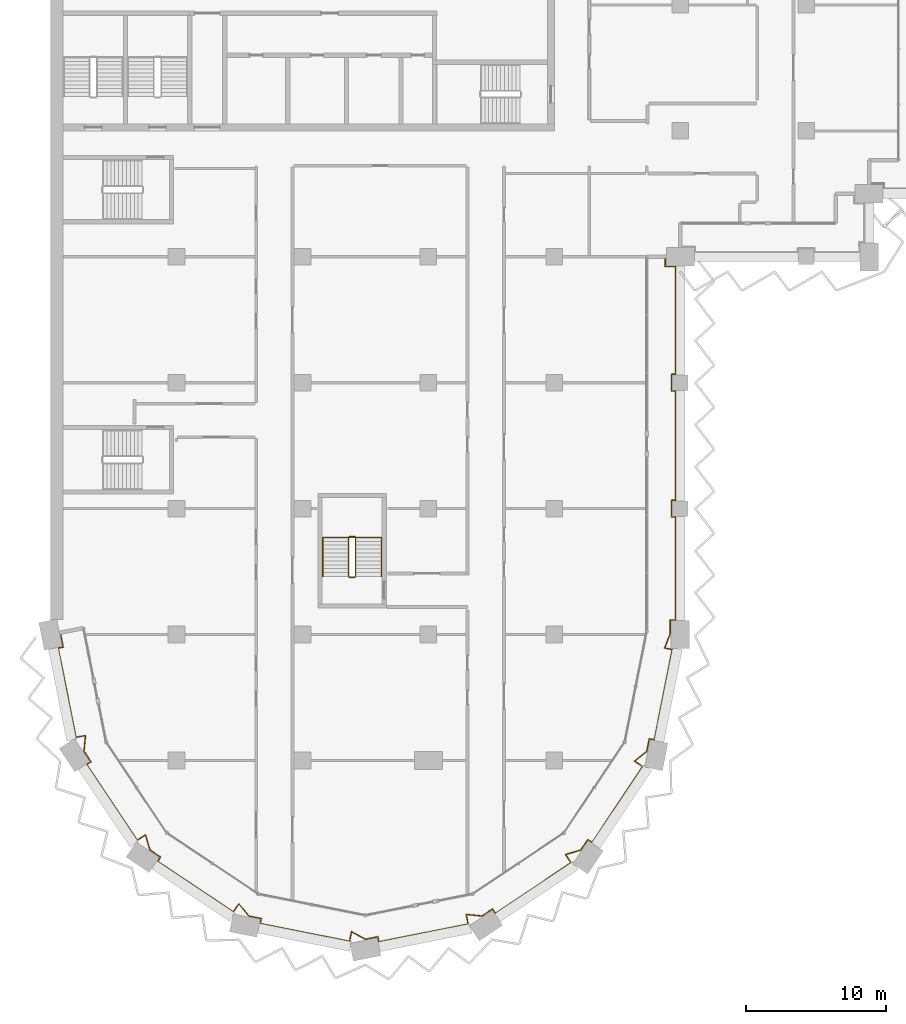
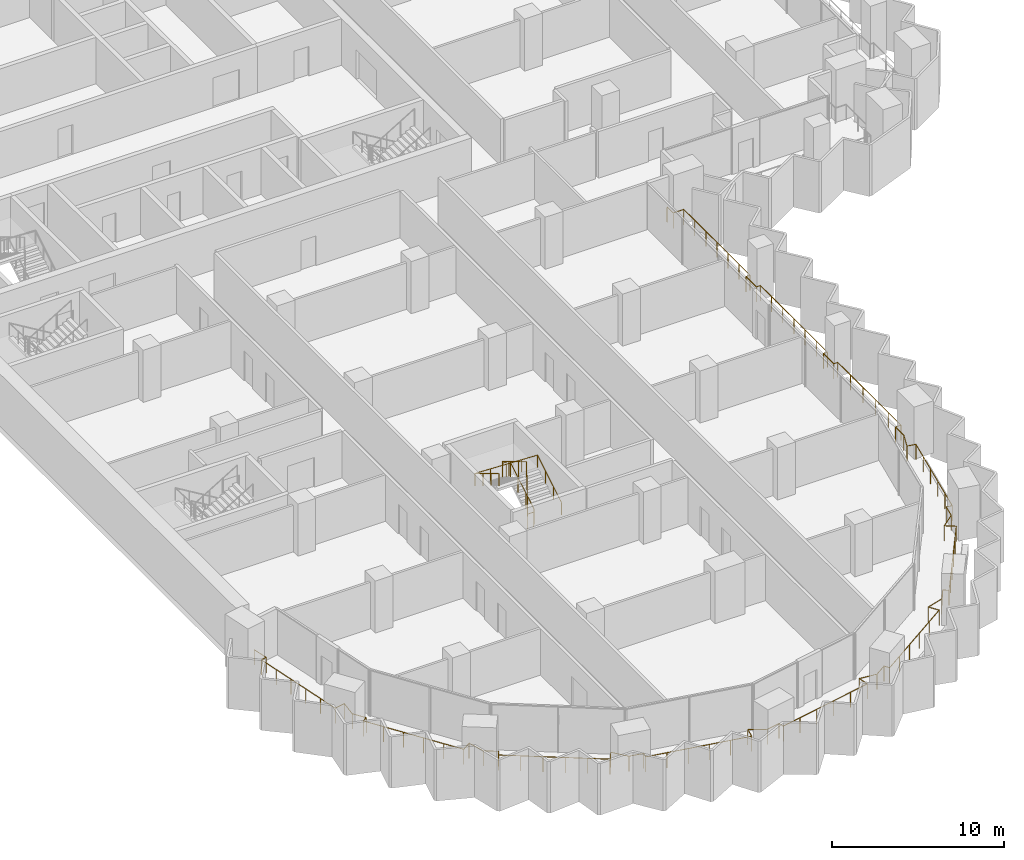
# One storey, part 19 of 22: 3 railings.
"""IFC4 building model written with IfcOpenShell, lengths in metres."""

from ifc_helpers import new_model, si_unit, direction, frame, origin, origin_2d, place, context, subcontext, project, spatial, circle, extrude, material, type_object, element, save


model = new_model("IFC4")

# Units and contexts
model_context = context("Model", 3, precision=1e-05, world=origin(), true_north=direction((0.0, 1.0)))
body_context = subcontext(model_context, "Body", "Model", "MODEL_VIEW")
ifc_project = project(units=[si_unit("LENGTHUNIT", "METRE"), si_unit("AREAUNIT", "SQUARE_METRE"), si_unit("VOLUMEUNIT", "CUBIC_METRE"), si_unit("PLANEANGLEUNIT", "RADIAN"), si_unit("MASSUNIT", "GRAM", prefix="KILO")], contexts=[model_context])

# Site, building, storey
site_placement = place(None, origin())
site = spatial("IfcSite", under=ifc_project, at=site_placement, CompositionType="ELEMENT")
building_placement = place(site_placement, origin())
building = spatial("IfcBuilding", under=site, at=building_placement, Name="Hunhe Ridgeline Campus", CompositionType="ELEMENT")
storey_placement = place(building_placement, frame((0.0, 0.0, 163.39990234375)))
storey = spatial("IfcBuildingStorey", under=building, at=storey_placement, Name="L41", CompositionType="ELEMENT", Elevation=163.39990234375)

# Railings
ifc_material_1 = material(Name="Steel Q355", Category="steel")
railing_type_1 = type_object("IfcRailingType", Name="Loggia guard 1100 Steel Q355", PredefinedType="GUARDRAIL", material=ifc_material_1)
railing_1_placement = place(storey_placement, frame((0.7060546875, 27.140380859375, 0.0)))
element("IfcRailing", 1, at=railing_1_placement, inside=storey, type_object=railing_type_1, Name="Loggia guard 1", PredefinedType="GUARDRAIL", context=body_context, shape_type="SweptSolid", body=[
    extrude(circle(Radius=0.02392578125, at=origin_2d()), frame((0.0, 0.0, 1.076171875), z_axis=(0.195087556151, -0.980785830564, 0.0), x_axis=(0.980785830564, 0.195087556151, 0.0)), (0.0, 0.0, 1.0), 1.050048828125),
    extrude(circle(Radius=0.02392578125, at=origin_2d()), frame((0.204833984375, -1.02978515625, 1.076171875), z_axis=(-0.980858940504, -0.194719641621, 0.0), x_axis=(0.194719641621, -0.980858940504, 0.0)), (0.0, 0.0, 1.0), 0.369873046875),
    extrude(circle(Radius=0.02392578125, at=origin_2d()), frame((-0.157958984375, -1.101806640625, 1.076171875), z_axis=(0.19507695386, -0.9807879394, 0.0), x_axis=(0.9807879394, 0.19507695386, 0.0)), (0.0, 0.0, 1.0), 6.506591796875),
    extrude(circle(Radius=0.02392578125, at=origin_2d()), frame((1.111328125, -7.4833984375, 1.076171875), z_axis=(0.980780459814, 0.195114555191, 0.0), x_axis=(-0.195114555191, 0.980780459814, 0.0)), (0.0, 0.0, 1.0), 0.703125),
    extrude(circle(Radius=0.02392578125, at=origin_2d()), frame((1.801025390625, -7.34619140625, 1.076171875), z_axis=(-0.102884402445, -0.994693319437, 0.0), x_axis=(0.994693319437, -0.102884402445, 0.0)), (0.0, 0.0, 1.0), 1.129638671875),
    extrude(circle(Radius=0.02392578125, at=origin_2d()), frame((1.684814453125, -8.4697265625, 1.076171875), z_axis=(0.555569523548, -0.831470086356, 0.0), x_axis=(0.831470086356, 0.555569523548, 0.0)), (0.0, 0.0, 1.0), 0.906982421875),
    extrude(circle(Radius=0.02392578125, at=origin_2d()), frame((2.188720703125, -9.223876953125, 1.076171875), z_axis=(-0.831440678638, -0.555613532868, 0.0), x_axis=(0.555613532868, -0.831440678638, 0.0)), (0.0, 0.0, 1.0), 0.369873046875),
    extrude(circle(Radius=0.02392578125, at=origin_2d()), frame((1.881103515625, -9.429443359375, 1.076171875), z_axis=(0.55556581165, -0.83147256655, 0.0), x_axis=(0.83147256655, 0.55556581165, 0.0)), (0.0, 0.0, 1.0), 6.50634765625),
    extrude(circle(Radius=0.02392578125, at=origin_2d()), frame((5.495849609375, -14.83935546875, 1.076171875), z_axis=(0.831355400166, 0.555741125539, 0.0), x_axis=(-0.555741125539, 0.831355400166, 0.0)), (0.0, 0.0, 1.0), 0.703369140625),
    extrude(circle(Radius=0.02392578125, at=origin_2d()), frame((6.08056640625, -14.448486328125, 1.076171875), z_axis=(0.285463917281, -0.958389457335, 0.0), x_axis=(0.958389457335, 0.285463917281, 0.0)), (0.0, 0.0, 1.0), 1.1298828125),
    extrude(circle(Radius=0.02392578125, at=origin_2d()), frame((6.403076171875, -15.53125, 1.076171875), z_axis=(0.831511358569, -0.555507750235, 0.0), x_axis=(0.555507750235, 0.831511358569, 0.0)), (0.0, 0.0, 1.0), 0.90673828125),
    extrude(circle(Radius=0.02392578125, at=origin_2d()), frame((7.156982421875, -16.034912109375, 1.076171875), z_axis=(-0.555613532868, -0.831440678638, 0.0), x_axis=(0.831440678638, -0.555613532868, 0.0)), (0.0, 0.0, 1.0), 0.369873046875),
    extrude(circle(Radius=0.02392578125, at=origin_2d()), frame((6.951416015625, -16.342529296875, 1.076171875), z_axis=(0.831455233209, -0.555591752251, 0.0), x_axis=(0.555591752251, 0.831455233209, 0.0)), (0.0, 0.0, 1.0), 6.506591796875),
    extrude(circle(Radius=0.02392578125, at=origin_2d()), frame((12.361328125, -19.95751953125, 1.076171875), z_axis=(0.555741125539, 0.831355400166, 0.0), x_axis=(-0.831355400166, 0.555741125539, 0.0)), (0.0, 0.0, 1.0), 0.703369140625),
    extrude(circle(Radius=0.02392578125, at=origin_2d()), frame((12.752197265625, -19.372802734375, 1.076171875), z_axis=(0.630633305327, -0.776080945657, 0.0), x_axis=(0.776080945657, 0.630633305327, 0.0)), (0.0, 0.0, 1.0), 1.129638671875),
    extrude(circle(Radius=0.02392578125, at=origin_2d()), frame((13.464599609375, -20.24951171875, 1.076171875), z_axis=(0.980807887006, -0.194976636516, 0.0), x_axis=(0.194976636516, 0.980807887006, 0.0)), (0.0, 0.0, 1.0), 0.906494140625),
    extrude(circle(Radius=0.02392578125, at=origin_2d()), frame((14.353759765625, -20.42626953125, 1.076171875), z_axis=(-0.194593653816, -0.980883943132, 0.0), x_axis=(0.980883943132, -0.194593653816, 0.0)), (0.0, 0.0, 1.0), 0.3701171875),
    extrude(circle(Radius=0.02392578125, at=origin_2d()), frame((14.28173828125, -20.789306640625, 1.076171875), z_axis=(0.98078651142, -0.195084133173, 0.0), x_axis=(0.195084133173, 0.98078651142, 0.0)), (0.0, 0.0, 1.0), 6.50634765625),
    extrude(circle(Radius=0.02392578125, at=origin_2d()), frame((20.6630859375, -22.05859375, 1.076171875), z_axis=(0.195114555191, 0.980780459814, 0.0), x_axis=(-0.980780459814, 0.195114555191, 0.0)), (0.0, 0.0, 1.0), 0.703125),
    extrude(circle(Radius=0.02392578125, at=origin_2d()), frame((20.80029296875, -21.368896484375, 1.076171875), z_axis=(0.879616090555, -0.475684278946, 0.0), x_axis=(0.475684278946, 0.879616090555, 0.0)), (0.0, 0.0, 1.0), 1.129638671875),
    extrude(circle(Radius=0.02392578125, at=origin_2d()), frame((21.7939453125, -21.90625, 1.076171875), z_axis=(0.98081812081, 0.194925149456, 0.0), x_axis=(-0.194925149456, 0.98081812081, 0.0)), (0.0, 0.0, 1.0), 0.90673828125),
    extrude(circle(Radius=0.02392578125, at=origin_2d()), frame((22.683349609375, -21.7294921875, 1.076171875), z_axis=(0.194719641621, -0.980858940504, 0.0), x_axis=(0.980858940504, 0.194719641621, 0.0)), (0.0, 0.0, 1.0), 0.369873046875),
    extrude(circle(Radius=0.02392578125, at=origin_2d()), frame((22.75537109375, -22.09228515625, 1.076171875), z_axis=(0.9807879394, 0.19507695386, 0.0), x_axis=(-0.19507695386, 0.9807879394, 0.0)), (0.0, 0.0, 1.0), 6.506591796875),
    extrude(circle(Radius=0.02392578125, at=origin_2d()), frame((29.136962890625, -20.822998046875, 1.076171875), z_axis=(-0.195114555191, 0.980780459814, 0.0), x_axis=(-0.980780459814, -0.195114555191, 0.0)), (0.0, 0.0, 1.0), 0.703125),
    extrude(circle(Radius=0.02392578125, at=origin_2d()), frame((28.999755859375, -20.13330078125, 1.076171875), z_axis=(0.994693319437, -0.102884402445, 0.0), x_axis=(0.102884402445, 0.994693319437, 0.0)), (0.0, 0.0, 1.0), 1.129638671875),
    extrude(circle(Radius=0.02392578125, at=origin_2d()), frame((30.123291015625, -20.24951171875, 1.076171875), z_axis=(0.831470086356, 0.555569523548, 0.0), x_axis=(-0.555569523548, 0.831470086356, 0.0)), (0.0, 0.0, 1.0), 0.906982421875),
    extrude(circle(Radius=0.02392578125, at=origin_2d()), frame((30.87744140625, -19.74560546875, 1.076171875), z_axis=(0.555613532868, -0.831440678638, 0.0), x_axis=(0.831440678638, 0.555613532868, 0.0)), (0.0, 0.0, 1.0), 0.369873046875),
    extrude(circle(Radius=0.02392578125, at=origin_2d()), frame((31.0830078125, -20.05322265625, 1.076171875), z_axis=(0.83147256655, 0.55556581165, 0.0), x_axis=(-0.55556581165, 0.83147256655, 0.0)), (0.0, 0.0, 1.0), 6.50634765625),
    extrude(circle(Radius=0.02392578125, at=origin_2d()), frame((36.492919921875, -16.4384765625, 1.076171875), z_axis=(-0.555741125539, 0.831355400166, 0.0), x_axis=(-0.831355400166, -0.555741125539, 0.0)), (0.0, 0.0, 1.0), 0.703369140625),
    extrude(circle(Radius=0.02392578125, at=origin_2d()), frame((36.10205078125, -15.853759765625, 1.076171875), z_axis=(0.958389457335, 0.285463917281, 0.0), x_axis=(-0.285463917281, 0.958389457335, 0.0)), (0.0, 0.0, 1.0), 1.1298828125),
    extrude(circle(Radius=0.02392578125, at=origin_2d()), frame((37.184814453125, -15.53125, 1.076171875), z_axis=(0.555507750235, 0.831511358569, 0.0), x_axis=(-0.831511358569, 0.555507750235, 0.0)), (0.0, 0.0, 1.0), 0.90673828125),
    extrude(circle(Radius=0.02392578125, at=origin_2d()), frame((37.6884765625, -14.77734375, 1.076171875), z_axis=(0.831440678638, -0.555613532868, 0.0), x_axis=(0.555613532868, 0.831440678638, 0.0)), (0.0, 0.0, 1.0), 0.369873046875),
    extrude(circle(Radius=0.02392578125, at=origin_2d()), frame((37.99609375, -14.98291015625, 1.076171875), z_axis=(0.555591752251, 0.831455233209, 0.0), x_axis=(-0.831455233209, 0.555591752251, 0.0)), (0.0, 0.0, 1.0), 6.506591796875),
    extrude(circle(Radius=0.02392578125, at=origin_2d()), frame((41.611083984375, -9.572998046875, 1.076171875), z_axis=(-0.831355400166, 0.555741125539, 0.0), x_axis=(-0.555741125539, -0.831355400166, 0.0)), (0.0, 0.0, 1.0), 0.703369140625),
    extrude(circle(Radius=0.02392578125, at=origin_2d()), frame((41.0263671875, -9.18212890625, 1.076171875), z_axis=(0.776080945657, 0.630633305327, 0.0), x_axis=(-0.630633305327, 0.776080945657, 0.0)), (0.0, 0.0, 1.0), 1.129638671875),
    extrude(circle(Radius=0.02392578125, at=origin_2d()), frame((41.903076171875, -8.4697265625, 1.076171875), z_axis=(0.194976636516, 0.980807887006, 0.0), x_axis=(-0.980807887006, 0.194976636516, 0.0)), (0.0, 0.0, 1.0), 0.906494140625),
    extrude(circle(Radius=0.02392578125, at=origin_2d()), frame((42.079833984375, -7.58056640625, 1.076171875), z_axis=(0.980883943132, -0.194593653816, 0.0), x_axis=(0.194593653816, 0.980883943132, 0.0)), (0.0, 0.0, 1.0), 0.3701171875),
    extrude(circle(Radius=0.02392578125, at=origin_2d()), frame((42.44287109375, -7.652587890625, 1.076171875), z_axis=(0.195087191819, 0.980785903033, 0.0), x_axis=(-0.980785903033, 0.195087191819, 0.0)), (0.0, 0.0, 1.0), 6.5712890625),
    extrude(circle(Radius=0.02392578125, at=origin_2d()), frame((43.724853515625, -1.20751953125, 1.076171875), z_axis=(-0.9807502228, 0.195266485801, 0.0), x_axis=(-0.195266485801, -0.9807502228, 0.0)), (0.0, 0.0, 1.0), 0.552734375),
    extrude(circle(Radius=0.02392578125, at=origin_2d()), frame((43.182861328125, -1.099609375, 1.076171875), z_axis=(0.354981524628, 0.934873316109, 0.0), x_axis=(-0.934873316109, 0.354981524628, 0.0)), (0.0, 0.0, 1.0), 1.101806640625),
    extrude(circle(Radius=0.02392578125, at=origin_2d()), frame((43.573974609375, -0.069580078125, 1.076171875), z_axis=(0.0, 1.0, 0.0), x_axis=(-1.0, 0.0, 0.0)), (0.0, 0.0, 1.0), 0.979248046875),
    extrude(circle(Radius=0.02392578125, at=origin_2d()), frame((43.573974609375, 0.90966796875, 1.076171875), z_axis=(1.0, 0.0, 0.0), x_axis=(0.0, 1.0, 0.0)), (0.0, 0.0, 1.0), 0.369873046875),
    extrude(circle(Radius=0.02392578125, at=origin_2d()), frame((43.94384765625, 0.90966796875, 1.076171875), z_axis=(0.0, 1.0, 0.0), x_axis=(-1.0, 0.0, 0.0)), (0.0, 0.0, 1.0), 7.349853515625),
    extrude(circle(Radius=0.02392578125, at=origin_2d()), frame((43.94384765625, 8.259521484375, 1.076171875), z_axis=(-1.0, 0.0, 0.0), x_axis=(0.0, -1.0, 0.0)), (0.0, 0.0, 1.0), 0.27001953125),
    extrude(circle(Radius=0.02392578125, at=origin_2d()), frame((43.673828125, 8.259521484375, 1.076171875), z_axis=(0.0, 1.0, 0.0), x_axis=(-1.0, 0.0, 0.0)), (0.0, 0.0, 1.0), 1.2001953125),
    extrude(circle(Radius=0.02392578125, at=origin_2d()), frame((43.673828125, 9.459716796875, 1.076171875), z_axis=(1.0, 0.0, 0.0), x_axis=(0.0, 1.0, 0.0)), (0.0, 0.0, 1.0), 0.27001953125),
    extrude(circle(Radius=0.02392578125, at=origin_2d()), frame((43.94384765625, 9.459716796875, 1.076171875), z_axis=(0.0, 1.0, 0.0), x_axis=(-1.0, 0.0, 0.0)), (0.0, 0.0, 1.0), 7.7998046875),
    extrude(circle(Radius=0.02392578125, at=origin_2d()), frame((43.94384765625, 17.259521484375, 1.076171875), z_axis=(-1.0, 0.0, 0.0), x_axis=(0.0, -1.0, 0.0)), (0.0, 0.0, 1.0), 0.27001953125),
    extrude(circle(Radius=0.02392578125, at=origin_2d()), frame((43.673828125, 17.259521484375, 1.076171875), z_axis=(0.0, 1.0, 0.0), x_axis=(-1.0, 0.0, 0.0)), (0.0, 0.0, 1.0), 1.2001953125),
    extrude(circle(Radius=0.02392578125, at=origin_2d()), frame((43.673828125, 18.459716796875, 1.076171875), z_axis=(1.0, 0.0, 0.0), x_axis=(0.0, 1.0, 0.0)), (0.0, 0.0, 1.0), 0.27001953125),
    extrude(circle(Radius=0.02392578125, at=origin_2d()), frame((43.94384765625, 18.459716796875, 1.076171875), z_axis=(0.0, 1.0, 0.0), x_axis=(-1.0, 0.0, 0.0)), (0.0, 0.0, 1.0), 7.699951171875),
    extrude(circle(Radius=0.02392578125, at=origin_2d()), frame((43.94384765625, 26.15966796875, 1.076171875), z_axis=(-1.0, 0.0, 0.0), x_axis=(0.0, -1.0, 0.0)), (0.0, 0.0, 1.0), 0.719970703125),
    extrude(circle(Radius=0.02392578125, at=origin_2d()), frame((43.223876953125, 26.15966796875, 1.076171875), z_axis=(0.0, 1.0, 0.0), x_axis=(-1.0, 0.0, 0.0)), (0.0, 0.0, 1.0), 0.699951171875),
    extrude(circle(Radius=0.02099609375, at=origin_2d()), origin(), (0.0, 0.0, 1.0), 1.052001953125),
    extrude(circle(Radius=0.02099609375, at=origin_2d()), frame((0.204833984375, -1.02978515625, 0.0)), (0.0, 0.0, 1.0), 1.052001953125),
    extrude(circle(Radius=0.02099609375, at=origin_2d()), frame((-0.157958984375, -1.101806640625, 0.0)), (0.0, 0.0, 1.0), 1.052001953125),
    extrude(circle(Radius=0.02099609375, at=origin_2d()), frame((0.095947265625, -2.378173828125, 0.0)), (0.0, 0.0, 1.0), 1.052001953125),
    extrude(circle(Radius=0.02099609375, at=origin_2d()), frame((0.349853515625, -3.654541015625, 0.0)), (0.0, 0.0, 1.0), 1.052001953125),
    extrude(circle(Radius=0.02099609375, at=origin_2d()), frame((0.603515625, -4.9306640625, 0.0)), (0.0, 0.0, 1.0), 1.052001953125),
    extrude(circle(Radius=0.02099609375, at=origin_2d()), frame((0.857421875, -6.20703125, 0.0)), (0.0, 0.0, 1.0), 1.052001953125),
    extrude(circle(Radius=0.02099609375, at=origin_2d()), frame((1.111328125, -7.4833984375, 0.0)), (0.0, 0.0, 1.0), 1.052001953125),
    extrude(circle(Radius=0.02099609375, at=origin_2d()), frame((1.801025390625, -7.34619140625, 0.0)), (0.0, 0.0, 1.0), 1.052001953125),
    extrude(circle(Radius=0.02099609375, at=origin_2d()), frame((1.684814453125, -8.4697265625, 0.0)), (0.0, 0.0, 1.0), 1.052001953125),
    extrude(circle(Radius=0.02099609375, at=origin_2d()), frame((2.188720703125, -9.223876953125, 0.0)), (0.0, 0.0, 1.0), 1.052001953125),
    extrude(circle(Radius=0.02099609375, at=origin_2d()), frame((1.881103515625, -9.429443359375, 0.0)), (0.0, 0.0, 1.0), 1.052001953125),
    extrude(circle(Radius=0.02099609375, at=origin_2d()), frame((2.60400390625, -10.511474609375, 0.0)), (0.0, 0.0, 1.0), 1.052001953125),
    extrude(circle(Radius=0.02099609375, at=origin_2d()), frame((3.326904296875, -11.593505859375, 0.0)), (0.0, 0.0, 1.0), 1.052001953125),
    extrude(circle(Radius=0.02099609375, at=origin_2d()), frame((4.050048828125, -12.67529296875, 0.0)), (0.0, 0.0, 1.0), 1.052001953125),
    extrude(circle(Radius=0.02099609375, at=origin_2d()), frame((4.77294921875, -13.75732421875, 0.0)), (0.0, 0.0, 1.0), 1.052001953125),
    extrude(circle(Radius=0.02099609375, at=origin_2d()), frame((5.495849609375, -14.83935546875, 0.0)), (0.0, 0.0, 1.0), 1.052001953125),
    extrude(circle(Radius=0.02099609375, at=origin_2d()), frame((6.08056640625, -14.448486328125, 0.0)), (0.0, 0.0, 1.0), 1.052001953125),
    extrude(circle(Radius=0.02099609375, at=origin_2d()), frame((6.403076171875, -15.53125, 0.0)), (0.0, 0.0, 1.0), 1.052001953125),
    extrude(circle(Radius=0.02099609375, at=origin_2d()), frame((7.156982421875, -16.034912109375, 0.0)), (0.0, 0.0, 1.0), 1.052001953125),
    extrude(circle(Radius=0.02099609375, at=origin_2d()), frame((6.951416015625, -16.342529296875, 0.0)), (0.0, 0.0, 1.0), 1.052001953125),
    extrude(circle(Radius=0.02099609375, at=origin_2d()), frame((8.033447265625, -17.0654296875, 0.0)), (0.0, 0.0, 1.0), 1.052001953125),
    extrude(circle(Radius=0.02099609375, at=origin_2d()), frame((9.115478515625, -17.78857421875, 0.0)), (0.0, 0.0, 1.0), 1.052001953125),
    extrude(circle(Radius=0.02099609375, at=origin_2d()), frame((10.197265625, -18.511474609375, 0.0)), (0.0, 0.0, 1.0), 1.052001953125),
    extrude(circle(Radius=0.02099609375, at=origin_2d()), frame((11.279296875, -19.234619140625, 0.0)), (0.0, 0.0, 1.0), 1.052001953125),
    extrude(circle(Radius=0.02099609375, at=origin_2d()), frame((12.361328125, -19.95751953125, 0.0)), (0.0, 0.0, 1.0), 1.052001953125),
    extrude(circle(Radius=0.02099609375, at=origin_2d()), frame((12.752197265625, -19.372802734375, 0.0)), (0.0, 0.0, 1.0), 1.052001953125),
    extrude(circle(Radius=0.02099609375, at=origin_2d()), frame((13.464599609375, -20.24951171875, 0.0)), (0.0, 0.0, 1.0), 1.052001953125),
    extrude(circle(Radius=0.02099609375, at=origin_2d()), frame((14.353759765625, -20.42626953125, 0.0)), (0.0, 0.0, 1.0), 1.052001953125),
    extrude(circle(Radius=0.02099609375, at=origin_2d()), frame((14.28173828125, -20.789306640625, 0.0)), (0.0, 0.0, 1.0), 1.052001953125),
    extrude(circle(Radius=0.02099609375, at=origin_2d()), frame((15.55810546875, -21.043212890625, 0.0)), (0.0, 0.0, 1.0), 1.052001953125),
    extrude(circle(Radius=0.02099609375, at=origin_2d()), frame((16.834228515625, -21.297119140625, 0.0)), (0.0, 0.0, 1.0), 1.052001953125),
    extrude(circle(Radius=0.02099609375, at=origin_2d()), frame((18.110595703125, -21.55078125, 0.0)), (0.0, 0.0, 1.0), 1.052001953125),
    extrude(circle(Radius=0.02099609375, at=origin_2d()), frame((19.38671875, -21.8046875, 0.0)), (0.0, 0.0, 1.0), 1.052001953125),
    extrude(circle(Radius=0.02099609375, at=origin_2d()), frame((20.6630859375, -22.05859375, 0.0)), (0.0, 0.0, 1.0), 1.052001953125),
    extrude(circle(Radius=0.02099609375, at=origin_2d()), frame((20.80029296875, -21.368896484375, 0.0)), (0.0, 0.0, 1.0), 1.052001953125),
    extrude(circle(Radius=0.02099609375, at=origin_2d()), frame((21.7939453125, -21.90625, 0.0)), (0.0, 0.0, 1.0), 1.052001953125),
    extrude(circle(Radius=0.02099609375, at=origin_2d()), frame((22.683349609375, -21.7294921875, 0.0)), (0.0, 0.0, 1.0), 1.052001953125),
    extrude(circle(Radius=0.02099609375, at=origin_2d()), frame((22.75537109375, -22.09228515625, 0.0)), (0.0, 0.0, 1.0), 1.052001953125),
    extrude(circle(Radius=0.02099609375, at=origin_2d()), frame((24.03173828125, -21.83837890625, 0.0)), (0.0, 0.0, 1.0), 1.052001953125),
    extrude(circle(Radius=0.02099609375, at=origin_2d()), frame((25.30810546875, -21.58447265625, 0.0)), (0.0, 0.0, 1.0), 1.052001953125),
    extrude(circle(Radius=0.02099609375, at=origin_2d()), frame((26.584228515625, -21.330810546875, 0.0)), (0.0, 0.0, 1.0), 1.052001953125),
    extrude(circle(Radius=0.02099609375, at=origin_2d()), frame((27.860595703125, -21.076904296875, 0.0)), (0.0, 0.0, 1.0), 1.052001953125),
    extrude(circle(Radius=0.02099609375, at=origin_2d()), frame((29.136962890625, -20.822998046875, 0.0)), (0.0, 0.0, 1.0), 1.052001953125),
    extrude(circle(Radius=0.02099609375, at=origin_2d()), frame((28.999755859375, -20.13330078125, 0.0)), (0.0, 0.0, 1.0), 1.052001953125),
    extrude(circle(Radius=0.02099609375, at=origin_2d()), frame((30.123291015625, -20.24951171875, 0.0)), (0.0, 0.0, 1.0), 1.052001953125),
    extrude(circle(Radius=0.02099609375, at=origin_2d()), frame((30.87744140625, -19.74560546875, 0.0)), (0.0, 0.0, 1.0), 1.052001953125),
    extrude(circle(Radius=0.02099609375, at=origin_2d()), frame((31.0830078125, -20.05322265625, 0.0)), (0.0, 0.0, 1.0), 1.052001953125),
    extrude(circle(Radius=0.02099609375, at=origin_2d()), frame((32.1650390625, -19.330322265625, 0.0)), (0.0, 0.0, 1.0), 1.052001953125),
    extrude(circle(Radius=0.02099609375, at=origin_2d()), frame((33.2470703125, -18.607421875, 0.0)), (0.0, 0.0, 1.0), 1.052001953125),
    extrude(circle(Radius=0.02099609375, at=origin_2d()), frame((34.328857421875, -17.88427734375, 0.0)), (0.0, 0.0, 1.0), 1.052001953125),
    extrude(circle(Radius=0.02099609375, at=origin_2d()), frame((35.410888671875, -17.161376953125, 0.0)), (0.0, 0.0, 1.0), 1.052001953125),
    extrude(circle(Radius=0.02099609375, at=origin_2d()), frame((36.492919921875, -16.4384765625, 0.0)), (0.0, 0.0, 1.0), 1.052001953125),
    extrude(circle(Radius=0.02099609375, at=origin_2d()), frame((36.10205078125, -15.853759765625, 0.0)), (0.0, 0.0, 1.0), 1.052001953125),
    extrude(circle(Radius=0.02099609375, at=origin_2d()), frame((37.184814453125, -15.53125, 0.0)), (0.0, 0.0, 1.0), 1.052001953125),
    extrude(circle(Radius=0.02099609375, at=origin_2d()), frame((37.6884765625, -14.77734375, 0.0)), (0.0, 0.0, 1.0), 1.052001953125),
    extrude(circle(Radius=0.02099609375, at=origin_2d()), frame((37.99609375, -14.98291015625, 0.0)), (0.0, 0.0, 1.0), 1.052001953125),
    extrude(circle(Radius=0.02099609375, at=origin_2d()), frame((38.718994140625, -13.90087890625, 0.0)), (0.0, 0.0, 1.0), 1.052001953125),
    extrude(circle(Radius=0.02099609375, at=origin_2d()), frame((39.442138671875, -12.81884765625, 0.0)), (0.0, 0.0, 1.0), 1.052001953125),
    extrude(circle(Radius=0.02099609375, at=origin_2d()), frame((40.1650390625, -11.737060546875, 0.0)), (0.0, 0.0, 1.0), 1.052001953125),
    extrude(circle(Radius=0.02099609375, at=origin_2d()), frame((40.88818359375, -10.655029296875, 0.0)), (0.0, 0.0, 1.0), 1.052001953125),
    extrude(circle(Radius=0.02099609375, at=origin_2d()), frame((41.611083984375, -9.572998046875, 0.0)), (0.0, 0.0, 1.0), 1.052001953125),
    extrude(circle(Radius=0.02099609375, at=origin_2d()), frame((41.0263671875, -9.18212890625, 0.0)), (0.0, 0.0, 1.0), 1.052001953125),
    extrude(circle(Radius=0.02099609375, at=origin_2d()), frame((41.903076171875, -8.4697265625, 0.0)), (0.0, 0.0, 1.0), 1.052001953125),
    extrude(circle(Radius=0.02099609375, at=origin_2d()), frame((42.079833984375, -7.58056640625, 0.0)), (0.0, 0.0, 1.0), 1.052001953125),
    extrude(circle(Radius=0.02099609375, at=origin_2d()), frame((42.44287109375, -7.652587890625, 0.0)), (0.0, 0.0, 1.0), 1.052001953125),
    extrude(circle(Radius=0.02099609375, at=origin_2d()), frame((42.69921875, -6.363525390625, 0.0)), (0.0, 0.0, 1.0), 1.052001953125),
    extrude(circle(Radius=0.02099609375, at=origin_2d()), frame((42.95556640625, -5.074462890625, 0.0)), (0.0, 0.0, 1.0), 1.052001953125),
    extrude(circle(Radius=0.02099609375, at=origin_2d()), frame((43.212158203125, -3.78564453125, 0.0)), (0.0, 0.0, 1.0), 1.052001953125),
    extrude(circle(Radius=0.02099609375, at=origin_2d()), frame((43.468505859375, -2.49658203125, 0.0)), (0.0, 0.0, 1.0), 1.052001953125),
    extrude(circle(Radius=0.02099609375, at=origin_2d()), frame((43.724853515625, -1.20751953125, 0.0)), (0.0, 0.0, 1.0), 1.052001953125),
    extrude(circle(Radius=0.02099609375, at=origin_2d()), frame((43.182861328125, -1.099609375, 0.0)), (0.0, 0.0, 1.0), 1.052001953125),
    extrude(circle(Radius=0.02099609375, at=origin_2d()), frame((43.573974609375, -0.069580078125, 0.0)), (0.0, 0.0, 1.0), 1.052001953125),
    extrude(circle(Radius=0.02099609375, at=origin_2d()), frame((43.573974609375, 0.90966796875, 0.0)), (0.0, 0.0, 1.0), 1.052001953125),
    extrude(circle(Radius=0.02099609375, at=origin_2d()), frame((43.94384765625, 0.90966796875, 0.0)), (0.0, 0.0, 1.0), 1.052001953125),
    extrude(circle(Radius=0.02099609375, at=origin_2d()), frame((43.94384765625, 2.379638671875, 0.0)), (0.0, 0.0, 1.0), 1.052001953125),
    extrude(circle(Radius=0.02099609375, at=origin_2d()), frame((43.94384765625, 3.849609375, 0.0)), (0.0, 0.0, 1.0), 1.052001953125),
    extrude(circle(Radius=0.02099609375, at=origin_2d()), frame((43.94384765625, 5.319580078125, 0.0)), (0.0, 0.0, 1.0), 1.052001953125),
    extrude(circle(Radius=0.02099609375, at=origin_2d()), frame((43.94384765625, 6.78955078125, 0.0)), (0.0, 0.0, 1.0), 1.052001953125),
    extrude(circle(Radius=0.02099609375, at=origin_2d()), frame((43.94384765625, 8.259521484375, 0.0)), (0.0, 0.0, 1.0), 1.052001953125),
    extrude(circle(Radius=0.02099609375, at=origin_2d()), frame((43.673828125, 8.259521484375, 0.0)), (0.0, 0.0, 1.0), 1.052001953125),
    extrude(circle(Radius=0.02099609375, at=origin_2d()), frame((43.673828125, 9.459716796875, 0.0)), (0.0, 0.0, 1.0), 1.052001953125),
    extrude(circle(Radius=0.02099609375, at=origin_2d()), frame((43.94384765625, 9.459716796875, 0.0)), (0.0, 0.0, 1.0), 1.052001953125),
    extrude(circle(Radius=0.02099609375, at=origin_2d()), frame((43.94384765625, 10.759765625, 0.0)), (0.0, 0.0, 1.0), 1.052001953125),
    extrude(circle(Radius=0.02099609375, at=origin_2d()), frame((43.94384765625, 12.0595703125, 0.0)), (0.0, 0.0, 1.0), 1.052001953125),
    extrude(circle(Radius=0.02099609375, at=origin_2d()), frame((43.94384765625, 13.359619140625, 0.0)), (0.0, 0.0, 1.0), 1.052001953125),
    extrude(circle(Radius=0.02099609375, at=origin_2d()), frame((43.94384765625, 14.65966796875, 0.0)), (0.0, 0.0, 1.0), 1.052001953125),
    extrude(circle(Radius=0.02099609375, at=origin_2d()), frame((43.94384765625, 15.95947265625, 0.0)), (0.0, 0.0, 1.0), 1.052001953125),
    extrude(circle(Radius=0.02099609375, at=origin_2d()), frame((43.94384765625, 17.259521484375, 0.0)), (0.0, 0.0, 1.0), 1.052001953125),
    extrude(circle(Radius=0.02099609375, at=origin_2d()), frame((43.673828125, 17.259521484375, 0.0)), (0.0, 0.0, 1.0), 1.052001953125),
    extrude(circle(Radius=0.02099609375, at=origin_2d()), frame((43.673828125, 18.459716796875, 0.0)), (0.0, 0.0, 1.0), 1.052001953125),
    extrude(circle(Radius=0.02099609375, at=origin_2d()), frame((43.94384765625, 18.459716796875, 0.0)), (0.0, 0.0, 1.0), 1.052001953125),
    extrude(circle(Radius=0.02099609375, at=origin_2d()), frame((43.94384765625, 19.7431640625, 0.0)), (0.0, 0.0, 1.0), 1.052001953125),
    extrude(circle(Radius=0.02099609375, at=origin_2d()), frame((43.94384765625, 21.0263671875, 0.0)), (0.0, 0.0, 1.0), 1.052001953125),
    extrude(circle(Radius=0.02099609375, at=origin_2d()), frame((43.94384765625, 22.3095703125, 0.0)), (0.0, 0.0, 1.0), 1.052001953125),
    extrude(circle(Radius=0.02099609375, at=origin_2d()), frame((43.94384765625, 23.593017578125, 0.0)), (0.0, 0.0, 1.0), 1.052001953125),
    extrude(circle(Radius=0.02099609375, at=origin_2d()), frame((43.94384765625, 24.87646484375, 0.0)), (0.0, 0.0, 1.0), 1.052001953125),
    extrude(circle(Radius=0.02099609375, at=origin_2d()), frame((43.94384765625, 26.15966796875, 0.0)), (0.0, 0.0, 1.0), 1.052001953125),
    extrude(circle(Radius=0.02099609375, at=origin_2d()), frame((43.223876953125, 26.15966796875, 0.0)), (0.0, 0.0, 1.0), 1.052001953125),
    extrude(circle(Radius=0.02099609375, at=origin_2d()), frame((43.223876953125, 26.859619140625, 0.0)), (0.0, 0.0, 1.0), 1.052001953125),
])
ifc_material_2 = material(Name="Stainless steel balustrade", Category="steel")
railing_type_2 = type_object("IfcRailingType", Name="Stair guard 1100 stainless", PredefinedType="GUARDRAIL", material=ifc_material_2)
railing_2_placement = place(storey_placement, frame((21.800048828125, 31.14990234375, 0.168212890625)))
element("IfcRailing", 2, at=railing_2_placement, inside=storey, type_object=railing_type_2, Name="L41 stair W3 guard", PredefinedType="GUARDRAIL", context=body_context, shape_type="SweptSolid", body=[
    extrude(circle(Radius=0.02392578125, at=origin_2d()), frame((0.0, 0.0, 1.076171875), z_axis=(0.0, 0.857242210791, 0.514913383045), x_axis=(-1.0, 0.0, 0.0)), (0.0, 0.0, 1.0), 3.266357421875),
    extrude(circle(Radius=0.02392578125, at=origin_2d()), frame((0.0, 2.800048828125, 2.7578125), z_axis=(-0.707106781187, 0.707106781187, 0.0), x_axis=(-0.707106781187, -0.707106781187, 0.0)), (0.0, 0.0, 1.0), 0.07080078125),
    extrude(circle(Radius=0.02392578125, at=origin_2d()), frame((-0.050048828125, 2.85009765625, 2.7578125), z_axis=(-1.0, 0.0, 0.0), x_axis=(0.0, -1.0, 0.0)), (0.0, 0.0, 1.0), 0.39990234375),
    extrude(circle(Radius=0.02392578125, at=origin_2d()), frame((-0.449951171875, 2.85009765625, 2.7578125), z_axis=(-0.274243871929, -0.274243871929, 0.92172696468), x_axis=(0.707106781187, -0.707106781187, 0.0)), (0.0, 0.0, 1.0), 0.1826171875),
    extrude(circle(Radius=0.02392578125, at=origin_2d()), frame((-0.5, 2.800048828125, 2.92626953125), z_axis=(0.0, -0.857242210791, 0.514913383045), x_axis=(1.0, 0.0, 0.0)), (0.0, 0.0, 1.0), 3.266357421875),
    extrude(circle(Radius=0.02392578125, at=origin_2d()), frame((-0.5, 0.0, 4.60791015625), z_axis=(0.013523534403, -0.013457565943, -0.999817987404), x_axis=(0.705375805398, 0.708833529934, 0.0)), (0.0, 0.0, 1.0), 3.700927734375),
    extrude(circle(Radius=0.02392578125, at=origin_2d()), frame((-0.449951171875, -0.0498046875, 0.90771484375), z_axis=(1.0, 0.0, 0.0), x_axis=(0.0, 1.0, 0.0)), (0.0, 0.0, 1.0), 0.39990234375),
    extrude(circle(Radius=0.02099609375, at=origin_2d()), origin(), (0.0, 0.0, 1.0), 1.052001953125),
    extrude(circle(Radius=0.02099609375, at=origin_2d()), frame((0.0, 0.933349609375, 0.560546875)), (0.0, 0.0, 1.0), 1.052001953125),
    extrude(circle(Radius=0.02099609375, at=origin_2d()), frame((0.0, 1.86669921875, 1.121337890625)), (0.0, 0.0, 1.0), 1.052001953125),
    extrude(circle(Radius=0.02099609375, at=origin_2d()), frame((0.0, 2.800048828125, 1.681884765625)), (0.0, 0.0, 1.0), 1.052001953125),
    extrude(circle(Radius=0.02099609375, at=origin_2d()), frame((-0.050048828125, 2.85009765625, 1.681884765625)), (0.0, 0.0, 1.0), 1.052001953125),
    extrude(circle(Radius=0.02099609375, at=origin_2d()), frame((-0.449951171875, 2.85009765625, 1.681884765625)), (0.0, 0.0, 1.0), 1.052001953125),
    extrude(circle(Radius=0.02099609375, at=origin_2d()), frame((-0.5, 2.800048828125, 1.85009765625)), (0.0, 0.0, 1.0), 1.052001953125),
    extrude(circle(Radius=0.02099609375, at=origin_2d()), frame((-0.5, 1.86669921875, 2.41064453125)), (0.0, 0.0, 1.0), 1.052001953125),
    extrude(circle(Radius=0.02099609375, at=origin_2d()), frame((-0.5, 0.933349609375, 2.971435546875)), (0.0, 0.0, 1.0), 1.052001953125),
    extrude(circle(Radius=0.02099609375, at=origin_2d()), frame((-0.5, 0.0, 3.531982421875)), (0.0, 0.0, 1.0), 1.052001953125),
    extrude(circle(Radius=0.02099609375, at=origin_2d()), frame((-0.487548828125, -0.012451171875, 2.60693359375)), (0.0, 0.0, 1.0), 1.052001953125),
    extrude(circle(Radius=0.02099609375, at=origin_2d()), frame((-0.47509765625, -0.02490234375, 1.681884765625)), (0.0, 0.0, 1.0), 1.052001953125),
    extrude(circle(Radius=0.02099609375, at=origin_2d()), frame((-0.46240234375, -0.037353515625, 0.7568359375)), (0.0, 0.0, 1.0), 1.052001953125),
    extrude(circle(Radius=0.02099609375, at=origin_2d()), frame((-0.449951171875, -0.0498046875, -0.168212890625)), (0.0, 0.0, 1.0), 1.052001953125),
    extrude(circle(Radius=0.02099609375, at=origin_2d()), frame((-0.050048828125, -0.0498046875, -0.168212890625)), (0.0, 0.0, 1.0), 1.052001953125),
])
ifc_material_3 = material(Name="Stainless steel handrail", Category="steel")
railing_type_3 = type_object("IfcRailingType", Name="Stair handrail 900 stainless", PredefinedType="HANDRAIL", material=ifc_material_3)
railing_3_placement = place(storey_placement, frame((23.64990234375, 31.14990234375, 0.168212890625)))
element("IfcRailing", 3, at=railing_3_placement, inside=storey, type_object=railing_type_3, Name="L41 stair W3 handrail", PredefinedType="HANDRAIL", context=body_context, shape_type="SweptSolid", body=[
    extrude(circle(Radius=0.02392578125, at=origin_2d()), frame((0.0, 0.0, 0.8759765625), z_axis=(0.0, 0.857242210791, 0.514913383045), x_axis=(-1.0, 0.0, 0.0)), (0.0, 0.0, 1.0), 3.266357421875),
    extrude(circle(Radius=0.02392578125, at=origin_2d()), frame((0.0, 2.800048828125, 2.5576171875), z_axis=(-0.999198916169, 0.0, 0.040019069537), x_axis=(0.0, -1.0, 0.0)), (0.0, 0.0, 1.0), 4.203369140625),
    extrude(circle(Radius=0.02392578125, at=origin_2d()), frame((-4.199951171875, 2.800048828125, 2.72607421875), z_axis=(0.0, -0.857242210791, 0.514913383045), x_axis=(1.0, 0.0, 0.0)), (0.0, 0.0, 1.0), 3.266357421875),
    extrude(circle(Radius=0.02099609375, at=origin_2d()), origin(), (0.0, 0.0, 1.0), 0.851806640625),
    extrude(circle(Radius=0.02099609375, at=origin_2d()), frame((0.0, 0.933349609375, 0.560546875)), (0.0, 0.0, 1.0), 0.851806640625),
    extrude(circle(Radius=0.02099609375, at=origin_2d()), frame((0.0, 1.86669921875, 1.121337890625)), (0.0, 0.0, 1.0), 0.851806640625),
    extrude(circle(Radius=0.02099609375, at=origin_2d()), frame((0.0, 2.800048828125, 1.681884765625)), (0.0, 0.0, 1.0), 0.851806640625),
    extrude(circle(Radius=0.02099609375, at=origin_2d()), frame((-1.050048828125, 2.800048828125, 1.723876953125)), (0.0, 0.0, 1.0), 0.851806640625),
    extrude(circle(Radius=0.02099609375, at=origin_2d()), frame((-2.10009765625, 2.800048828125, 1.76611328125)), (0.0, 0.0, 1.0), 0.851806640625),
    extrude(circle(Radius=0.02099609375, at=origin_2d()), frame((-3.14990234375, 2.800048828125, 1.80810546875)), (0.0, 0.0, 1.0), 0.851806640625),
    extrude(circle(Radius=0.02099609375, at=origin_2d()), frame((-4.199951171875, 2.800048828125, 1.85009765625)), (0.0, 0.0, 1.0), 0.851806640625),
    extrude(circle(Radius=0.02099609375, at=origin_2d()), frame((-4.199951171875, 1.86669921875, 2.41064453125)), (0.0, 0.0, 1.0), 0.851806640625),
    extrude(circle(Radius=0.02099609375, at=origin_2d()), frame((-4.199951171875, 0.933349609375, 2.971435546875)), (0.0, 0.0, 1.0), 0.851806640625),
    extrude(circle(Radius=0.02099609375, at=origin_2d()), frame((-4.199951171875, 0.0, 3.531982421875)), (0.0, 0.0, 1.0), 0.851806640625),
])

save(model, "model.ifc")
